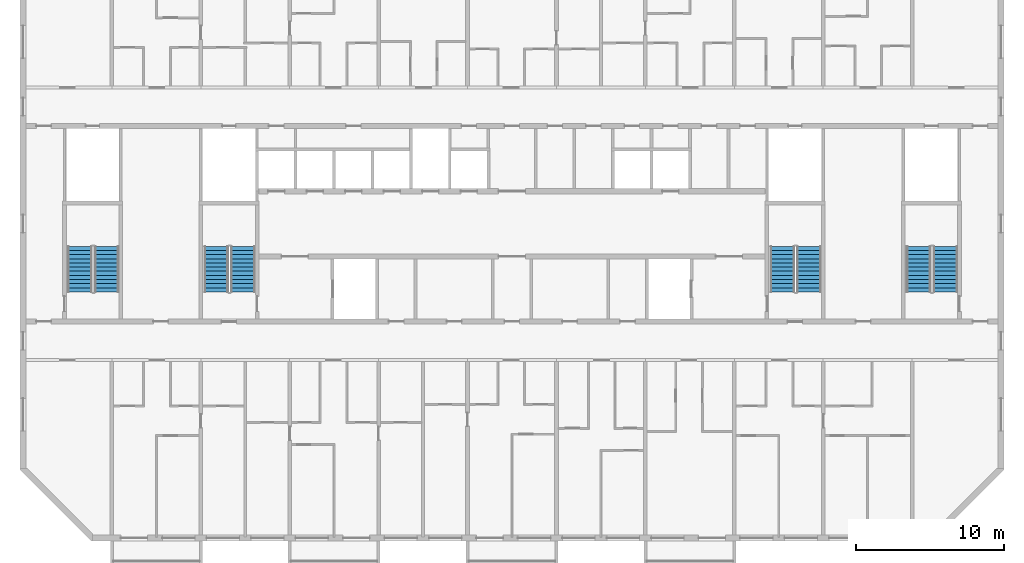
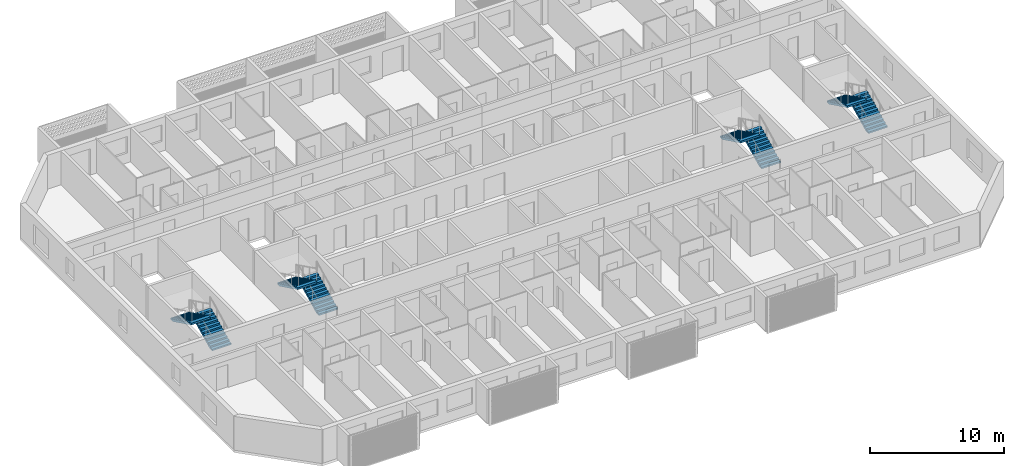
# One storey, part 12 of 29: 8 stair flights, 4 elements without a shape of their own.
"""IFC4 building model written with IfcOpenShell, lengths in metres."""

from ifc_helpers import new_model, si_unit, direction, frame, origin, place, context, subcontext, project, spatial, polyline, outline, extrude, material, layer, layer_set, type_object, element, aggregate, save


model = new_model("IFC4")

# Units and contexts
model_context = context("Model", 3, precision=1e-05, world=origin(), true_north=direction((0.0, 1.0)))
body_context = subcontext(model_context, "Body", "Model", "MODEL_VIEW")
ifc_project = project(units=[si_unit("LENGTHUNIT", "METRE"), si_unit("AREAUNIT", "SQUARE_METRE"), si_unit("VOLUMEUNIT", "CUBIC_METRE"), si_unit("PLANEANGLEUNIT", "RADIAN"), si_unit("MASSUNIT", "GRAM", prefix="KILO")], contexts=[model_context])

# Site, building, storey
site_placement = place(None, origin())
site = spatial("IfcSite", under=ifc_project, at=site_placement, CompositionType="ELEMENT")
building_placement = place(site_placement, origin())
building = spatial("IfcBuilding", under=site, at=building_placement, Name="Poui Terraces", CompositionType="ELEMENT")
storey_placement = place(building_placement, frame((0.0, 0.0, 237.89990234375)))
storey = spatial("IfcBuildingStorey", under=building, at=storey_placement, Name="L66", CompositionType="ELEMENT", Elevation=237.89990234375)

# Stair, stair flights
ifc_material = material(Name="Concrete 50 MPa", Category="concrete")
stair_type = type_object("IfcStairType", Name="EXIT STAIR 1650 50 MPA", PredefinedType="HALF_TURN_STAIR", material=ifc_material)
stair_1_placement = place(storey_placement, origin())
stair_1 = element("IfcStair", 1, at=stair_1_placement, inside=storey, type_object=stair_type, Name="L66 CORE STAIR EAST", PredefinedType="HALF_TURN_STAIR")
ifc_layer = layer(ifc_material, 0.14990234375)
ifc_layer_set = layer_set([ifc_layer], Name="Concrete 50 MPa")
stair_flight_type = type_object("IfcStairFlightType", Name="STAIR FLIGHT 12 RISERS 138 RISE 50 MPA", PredefinedType="STRAIGHT", material=ifc_layer_set)
stair_flight_1_placement = place(storey_placement, frame((71.050048828125, 16.60009765625, 0.0), z_axis=(0.0, 0.0, 1.0), x_axis=(0.0, 1.0, 0.0)))
stair_flight_1 = element("IfcStairFlight", 2, at=stair_flight_1_placement, type_object=stair_flight_type, Name="ST-CE flight 1", NumberOfRisers=12, NumberOfTreads=11, PredefinedType="STRAIGHT", RiserHeight=0.1375, TreadLength=0.28, context=body_context, shape_type="SweptSolid", body=[
    extrude(outline(polyline([(0.0, 0.0), (0.0, 0.137451171875), (0.280029296875, 0.137451171875), (0.280029296875, 0.27490234375), (0.56005859375, 0.27490234375), (0.56005859375, 0.41259765625), (0.840087890625, 0.41259765625), (0.840087890625, 0.550048828125), (1.1201171875, 0.550048828125), (1.1201171875, 0.6875), (1.39990234375, 0.6875), (1.39990234375, 0.824951171875), (1.679931640625, 0.824951171875), (1.679931640625, 0.96240234375), (1.9599609375, 0.96240234375), (1.9599609375, 1.10009765625), (2.239990234375, 1.10009765625), (2.239990234375, 1.237548828125), (2.52001953125, 1.237548828125), (2.52001953125, 1.375), (2.800048828125, 1.375), (2.800048828125, 1.512451171875), (3.080078125, 1.512451171875), (3.080078125, 1.64990234375), (3.080078125, 1.345458984375), (0.340087890625, 0.0), (0.0, 0.0)])), frame((0.0, 0.824951171875, 0.0), z_axis=(0.0, -1.0, 0.0), x_axis=(1.0, 0.0, 0.0)), (0.0, 0.0, 1.0), 1.64990234375),
])
stair_flight_2_placement = place(storey_placement, frame((69.25, 19.679931640625, 1.650146484375), z_axis=(0.0, 0.0, 1.0), x_axis=(0.0, -1.0, 0.0)))
stair_flight_2 = element("IfcStairFlight", 3, at=stair_flight_2_placement, type_object=stair_flight_type, Name="ST-CE flight 2", NumberOfRisers=12, NumberOfTreads=11, PredefinedType="STRAIGHT", RiserHeight=0.1375, TreadLength=0.28, context=body_context, shape_type="SweptSolid", body=[
    extrude(outline(polyline([(0.0, 0.0), (0.0, 0.137451171875), (0.280029296875, 0.137451171875), (0.280029296875, 0.27490234375), (0.56005859375, 0.27490234375), (0.56005859375, 0.41259765625), (0.840087890625, 0.41259765625), (0.840087890625, 0.550048828125), (1.1201171875, 0.550048828125), (1.1201171875, 0.6875), (1.39990234375, 0.6875), (1.39990234375, 0.824951171875), (1.679931640625, 0.824951171875), (1.679931640625, 0.96240234375), (1.9599609375, 0.96240234375), (1.9599609375, 1.10009765625), (2.239990234375, 1.10009765625), (2.239990234375, 1.237548828125), (2.52001953125, 1.237548828125), (2.52001953125, 1.375), (2.800048828125, 1.375), (2.800048828125, 1.512451171875), (3.080078125, 1.512451171875), (3.080078125, 1.64990234375), (3.080078125, 1.345458984375), (0.340087890625, 0.0), (0.0, 0.0)])), frame((0.0, 0.824951171875, 0.0), z_axis=(0.0, -1.0, 0.0), x_axis=(1.0, 0.0, 0.0)), (0.0, 0.0, 1.0), 1.64990234375),
])
aggregate(stair_1, [stair_flight_1, stair_flight_2])

stair_2_placement = place(storey_placement, origin())
stair_2 = element("IfcStair", 4, at=stair_2_placement, inside=storey, type_object=stair_type, Name="L66 CORE STAIR WEST", PredefinedType="HALF_TURN_STAIR")
stair_flight_3_placement = place(storey_placement, frame((32.85009765625, 16.60009765625, 0.0), z_axis=(0.0, 0.0, 1.0), x_axis=(0.0, 1.0, 0.0)))
stair_flight_3 = element("IfcStairFlight", 5, at=stair_flight_3_placement, type_object=stair_flight_type, Name="ST-CW flight 1", NumberOfRisers=12, NumberOfTreads=11, PredefinedType="STRAIGHT", RiserHeight=0.1375, TreadLength=0.28, context=body_context, shape_type="SweptSolid", body=[
    extrude(outline(polyline([(0.0, 0.0), (0.0, 0.137451171875), (0.280029296875, 0.137451171875), (0.280029296875, 0.27490234375), (0.56005859375, 0.27490234375), (0.56005859375, 0.41259765625), (0.840087890625, 0.41259765625), (0.840087890625, 0.550048828125), (1.1201171875, 0.550048828125), (1.1201171875, 0.6875), (1.39990234375, 0.6875), (1.39990234375, 0.824951171875), (1.679931640625, 0.824951171875), (1.679931640625, 0.96240234375), (1.9599609375, 0.96240234375), (1.9599609375, 1.10009765625), (2.239990234375, 1.10009765625), (2.239990234375, 1.237548828125), (2.52001953125, 1.237548828125), (2.52001953125, 1.375), (2.800048828125, 1.375), (2.800048828125, 1.512451171875), (3.080078125, 1.512451171875), (3.080078125, 1.64990234375), (3.080078125, 1.345458984375), (0.340087890625, 0.0), (0.0, 0.0)])), frame((0.0, 0.824951171875, 0.0), z_axis=(0.0, -1.0, 0.0), x_axis=(1.0, 0.0, 0.0)), (0.0, 0.0, 1.0), 1.64990234375),
])
stair_flight_4_placement = place(storey_placement, frame((31.050048828125, 19.679931640625, 1.650146484375), z_axis=(0.0, 0.0, 1.0), x_axis=(0.0, -1.0, 0.0)))
stair_flight_4 = element("IfcStairFlight", 6, at=stair_flight_4_placement, type_object=stair_flight_type, Name="ST-CW flight 2", NumberOfRisers=12, NumberOfTreads=11, PredefinedType="STRAIGHT", RiserHeight=0.1375, TreadLength=0.28, context=body_context, shape_type="SweptSolid", body=[
    extrude(outline(polyline([(0.0, 0.0), (0.0, 0.137451171875), (0.280029296875, 0.137451171875), (0.280029296875, 0.27490234375), (0.56005859375, 0.27490234375), (0.56005859375, 0.41259765625), (0.840087890625, 0.41259765625), (0.840087890625, 0.550048828125), (1.1201171875, 0.550048828125), (1.1201171875, 0.6875), (1.39990234375, 0.6875), (1.39990234375, 0.824951171875), (1.679931640625, 0.824951171875), (1.679931640625, 0.96240234375), (1.9599609375, 0.96240234375), (1.9599609375, 1.10009765625), (2.239990234375, 1.10009765625), (2.239990234375, 1.237548828125), (2.52001953125, 1.237548828125), (2.52001953125, 1.375), (2.800048828125, 1.375), (2.800048828125, 1.512451171875), (3.080078125, 1.512451171875), (3.080078125, 1.64990234375), (3.080078125, 1.345458984375), (0.340087890625, 0.0), (0.0, 0.0)])), frame((0.0, 0.824951171875, 0.0), z_axis=(0.0, -1.0, 0.0), x_axis=(1.0, 0.0, 0.0)), (0.0, 0.0, 1.0), 1.64990234375),
])
aggregate(stair_2, [stair_flight_3, stair_flight_4])

stair_3_placement = place(storey_placement, origin())
stair_3 = element("IfcStair", 7, at=stair_3_placement, inside=storey, type_object=stair_type, Name="L66 TIP STAIR EAST", PredefinedType="HALF_TURN_STAIR")
stair_flight_5_placement = place(storey_placement, frame((80.25, 16.60009765625, 0.0), z_axis=(0.0, 0.0, 1.0), x_axis=(0.0, 1.0, 0.0)))
stair_flight_5 = element("IfcStairFlight", 8, at=stair_flight_5_placement, type_object=stair_flight_type, Name="ST-E flight 1", NumberOfRisers=12, NumberOfTreads=11, PredefinedType="STRAIGHT", RiserHeight=0.1375, TreadLength=0.28, context=body_context, shape_type="SweptSolid", body=[
    extrude(outline(polyline([(0.0, 0.0), (0.0, 0.137451171875), (0.280029296875, 0.137451171875), (0.280029296875, 0.27490234375), (0.56005859375, 0.27490234375), (0.56005859375, 0.41259765625), (0.840087890625, 0.41259765625), (0.840087890625, 0.550048828125), (1.1201171875, 0.550048828125), (1.1201171875, 0.6875), (1.39990234375, 0.6875), (1.39990234375, 0.824951171875), (1.679931640625, 0.824951171875), (1.679931640625, 0.96240234375), (1.9599609375, 0.96240234375), (1.9599609375, 1.10009765625), (2.239990234375, 1.10009765625), (2.239990234375, 1.237548828125), (2.52001953125, 1.237548828125), (2.52001953125, 1.375), (2.800048828125, 1.375), (2.800048828125, 1.512451171875), (3.080078125, 1.512451171875), (3.080078125, 1.64990234375), (3.080078125, 1.345458984375), (0.340087890625, 0.0), (0.0, 0.0)])), frame((0.0, 0.824951171875, 0.0), z_axis=(0.0, -1.0, 0.0), x_axis=(1.0, 0.0, 0.0)), (0.0, 0.0, 1.0), 1.64990234375),
])
stair_flight_6_placement = place(storey_placement, frame((78.449951171875, 19.679931640625, 1.650146484375), z_axis=(0.0, 0.0, 1.0), x_axis=(0.0, -1.0, 0.0)))
stair_flight_6 = element("IfcStairFlight", 9, at=stair_flight_6_placement, type_object=stair_flight_type, Name="ST-E flight 2", NumberOfRisers=12, NumberOfTreads=11, PredefinedType="STRAIGHT", RiserHeight=0.1375, TreadLength=0.28, context=body_context, shape_type="SweptSolid", body=[
    extrude(outline(polyline([(0.0, 0.0), (0.0, 0.137451171875), (0.280029296875, 0.137451171875), (0.280029296875, 0.27490234375), (0.56005859375, 0.27490234375), (0.56005859375, 0.41259765625), (0.840087890625, 0.41259765625), (0.840087890625, 0.550048828125), (1.1201171875, 0.550048828125), (1.1201171875, 0.6875), (1.39990234375, 0.6875), (1.39990234375, 0.824951171875), (1.679931640625, 0.824951171875), (1.679931640625, 0.96240234375), (1.9599609375, 0.96240234375), (1.9599609375, 1.10009765625), (2.239990234375, 1.10009765625), (2.239990234375, 1.237548828125), (2.52001953125, 1.237548828125), (2.52001953125, 1.375), (2.800048828125, 1.375), (2.800048828125, 1.512451171875), (3.080078125, 1.512451171875), (3.080078125, 1.64990234375), (3.080078125, 1.345458984375), (0.340087890625, 0.0), (0.0, 0.0)])), frame((0.0, 0.824951171875, 0.0), z_axis=(0.0, -1.0, 0.0), x_axis=(1.0, 0.0, 0.0)), (0.0, 0.0, 1.0), 1.64990234375),
])
aggregate(stair_3, [stair_flight_5, stair_flight_6])

stair_4_placement = place(storey_placement, origin())
stair_4 = element("IfcStair", 10, at=stair_4_placement, inside=storey, type_object=stair_type, Name="L66 TIP STAIR WEST", PredefinedType="HALF_TURN_STAIR")
stair_flight_7_placement = place(storey_placement, frame((23.64990234375, 16.60009765625, 0.0), z_axis=(0.0, 0.0, 1.0), x_axis=(0.0, 1.0, 0.0)))
stair_flight_7 = element("IfcStairFlight", 11, at=stair_flight_7_placement, type_object=stair_flight_type, Name="ST-W flight 1", NumberOfRisers=12, NumberOfTreads=11, PredefinedType="STRAIGHT", RiserHeight=0.1375, TreadLength=0.28, context=body_context, shape_type="SweptSolid", body=[
    extrude(outline(polyline([(0.0, 0.0), (0.0, 0.137451171875), (0.280029296875, 0.137451171875), (0.280029296875, 0.27490234375), (0.56005859375, 0.27490234375), (0.56005859375, 0.41259765625), (0.840087890625, 0.41259765625), (0.840087890625, 0.550048828125), (1.1201171875, 0.550048828125), (1.1201171875, 0.6875), (1.39990234375, 0.6875), (1.39990234375, 0.824951171875), (1.679931640625, 0.824951171875), (1.679931640625, 0.96240234375), (1.9599609375, 0.96240234375), (1.9599609375, 1.10009765625), (2.239990234375, 1.10009765625), (2.239990234375, 1.237548828125), (2.52001953125, 1.237548828125), (2.52001953125, 1.375), (2.800048828125, 1.375), (2.800048828125, 1.512451171875), (3.080078125, 1.512451171875), (3.080078125, 1.64990234375), (3.080078125, 1.345458984375), (0.340087890625, 0.0), (0.0, 0.0)])), frame((0.0, 0.824951171875, 0.0), z_axis=(0.0, -1.0, 0.0), x_axis=(1.0, 0.0, 0.0)), (0.0, 0.0, 1.0), 1.64990234375),
])
stair_flight_8_placement = place(storey_placement, frame((21.85009765625, 19.679931640625, 1.650146484375), z_axis=(0.0, 0.0, 1.0), x_axis=(0.0, -1.0, 0.0)))
stair_flight_8 = element("IfcStairFlight", 12, at=stair_flight_8_placement, type_object=stair_flight_type, Name="ST-W flight 2", NumberOfRisers=12, NumberOfTreads=11, PredefinedType="STRAIGHT", RiserHeight=0.1375, TreadLength=0.28, context=body_context, shape_type="SweptSolid", body=[
    extrude(outline(polyline([(0.0, 0.0), (0.0, 0.137451171875), (0.280029296875, 0.137451171875), (0.280029296875, 0.27490234375), (0.56005859375, 0.27490234375), (0.56005859375, 0.41259765625), (0.840087890625, 0.41259765625), (0.840087890625, 0.550048828125), (1.1201171875, 0.550048828125), (1.1201171875, 0.6875), (1.39990234375, 0.6875), (1.39990234375, 0.824951171875), (1.679931640625, 0.824951171875), (1.679931640625, 0.96240234375), (1.9599609375, 0.96240234375), (1.9599609375, 1.10009765625), (2.239990234375, 1.10009765625), (2.239990234375, 1.237548828125), (2.52001953125, 1.237548828125), (2.52001953125, 1.375), (2.800048828125, 1.375), (2.800048828125, 1.512451171875), (3.080078125, 1.512451171875), (3.080078125, 1.64990234375), (3.080078125, 1.345458984375), (0.340087890625, 0.0), (0.0, 0.0)])), frame((0.0, 0.824951171875, 0.0), z_axis=(0.0, -1.0, 0.0), x_axis=(1.0, 0.0, 0.0)), (0.0, 0.0, 1.0), 1.64990234375),
])
aggregate(stair_4, [stair_flight_7, stair_flight_8])

save(model, "model.ifc")
